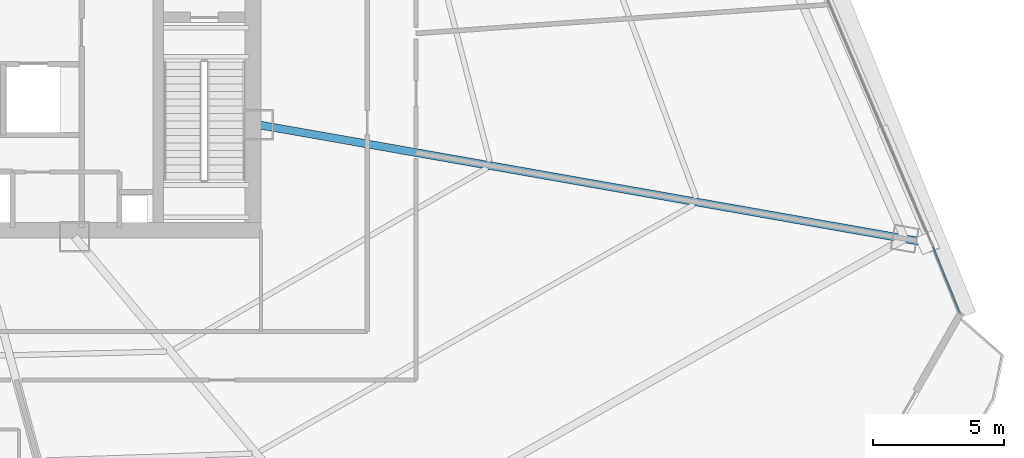
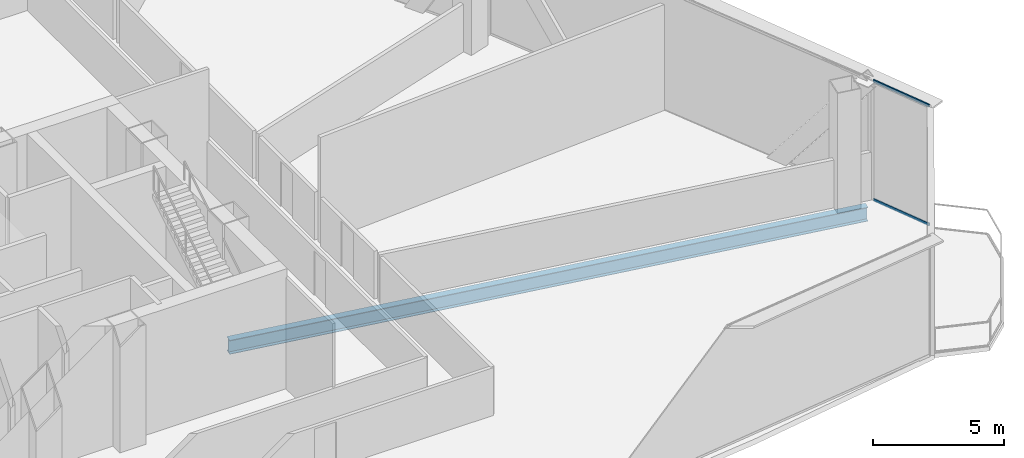
# One storey, part 25 of 40: 2 members, 1 beam, 1 element without a shape of its own.
"""IFC4 building model written with IfcOpenShell, lengths in metres."""

import ifcopenshell
import ifcopenshell.guid

model = None  # the IFC model being written
_history = None  # IfcOwnerHistory: only IFC2X3 demands one
_inside = {}  # id of a spatial element -> (the spatial element, [elements in it])
_under = {}  # id of a project, library or spatial element -> (it, [spatial elements below it])
_declared = {}  # id of a project -> (the project, [libraries it declares])
_typed = {}  # id of a type object -> (the type object, [elements of that type])
_made_of = {}  # id of a material, layer set ... -> (it, [elements and type objects made of it])


def new_model(schema):
    """Start an empty IFC model of exactly this schema.

    Asked for "IFC4X3", IfcOpenShell would pick the latest addendum, in which some entities
    have other attributes; the version numbers below select the first issue.
    IFC2X3 requires an IfcOwnerHistory on every rooted entity: one is made here for all.
    """
    global model, _history
    if schema == "IFC4X3":
        model = ifcopenshell.file(schema_version=(4, 3, 0, 0))
    else:
        model = ifcopenshell.file(schema=schema)
    _inside.clear()
    _under.clear()
    _declared.clear()
    _typed.clear()
    _made_of.clear()
    _history = None
    if model.schema == "IFC2X3":
        org = make("IfcOrganization", Name="unknown")
        user = make(
            "IfcPersonAndOrganization",
            ThePerson=make("IfcPerson", FamilyName="unknown"),
            TheOrganization=org,
        )
        app = make(
            "IfcApplication",
            ApplicationDeveloper=org,
            Version="unknown",
            ApplicationFullName="unknown",
            ApplicationIdentifier="unknown",
        )
        _history = make(
            "IfcOwnerHistory",
            OwningUser=user,
            OwningApplication=app,
            ChangeAction="ADDED",
            CreationDate=0,
        )
    return model


def make(cls, **values):
    """One entity of the class cls with the attributes given. An attribute that is None is left unset."""
    return model.create_entity(
        cls, **{name: value for name, value in values.items() if value is not None}
    )


def rooted(cls, **values):
    """An entity with a GlobalId (a new one), such as an element, a storey or a relation."""
    return make(cls, GlobalId=ifcopenshell.guid.new(), OwnerHistory=_history, **values)


def si_unit(unit_type, name, prefix=None):
    """IfcSIUnit, for example si_unit("LENGTHUNIT", "METRE", prefix="MILLI")."""
    return make("IfcSIUnit", UnitType=unit_type, Prefix=prefix, Name=name)


def assignment(units):
    """IfcUnitAssignment: the units of a project."""
    return None if units is None else make("IfcUnitAssignment", Units=units)


def point(xyz):
    """IfcCartesianPoint."""
    return None if xyz is None else make("IfcCartesianPoint", Coordinates=xyz)


def direction(xyz):
    """IfcDirection."""
    return None if xyz is None else make("IfcDirection", DirectionRatios=xyz)


def frame(location, z_axis=None, x_axis=None):
    """IfcAxis2Placement3D, a coordinate frame: its origin and axes. An axis left out is left unset."""
    return make(
        "IfcAxis2Placement3D",
        Location=point(location),
        Axis=direction(z_axis),
        RefDirection=direction(x_axis),
    )


def frame_2d(location, x_axis=None):
    """IfcAxis2Placement2D, a coordinate frame in the plane: its origin and x axis."""
    return make(
        "IfcAxis2Placement2D", Location=point(location), RefDirection=direction(x_axis)
    )


def origin():
    """The frame at (0, 0, 0) with its axes left unset."""
    return frame((0.0, 0.0, 0.0))


def origin_2d():
    """The frame at (0, 0) in the plane with its x axis left unset."""
    return frame_2d((0.0, 0.0))


def place(relative_to, where):
    """IfcLocalPlacement: puts the frame where relative to a parent placement (None: the world)."""
    return make(
        "IfcLocalPlacement", PlacementRelTo=relative_to, RelativePlacement=where
    )


def context(
    kind, dimensions, precision=None, world=None, true_north=None, identifier=None
):
    """IfcGeometricRepresentationContext, for example the 3D "Model" context."""
    return make(
        "IfcGeometricRepresentationContext",
        ContextIdentifier=identifier,
        ContextType=kind,
        CoordinateSpaceDimension=dimensions,
        Precision=precision,
        WorldCoordinateSystem=world,
        TrueNorth=true_north,
    )


def subcontext(parent, identifier, kind, view, scale=None):
    """IfcGeometricRepresentationSubContext, for example "Body" below "Model"."""
    return make(
        "IfcGeometricRepresentationSubContext",
        ContextIdentifier=identifier,
        ContextType=kind,
        ParentContext=parent,
        TargetScale=scale,
        TargetView=view,
    )


def project(units=None, contexts=None):
    """IfcProject with its units and contexts."""
    return rooted(
        "IfcProject",
        Name="project",
        RepresentationContexts=contexts,
        UnitsInContext=assignment(units),
    )


def spatial(cls, under=None, at=None, **own):
    """A site, building, storey or space (cls), placed at a placement, below another one or the project."""
    s = rooted(cls, ObjectPlacement=at, **own)
    if under is not None:
        _under.setdefault(under.id(), (under, []))[1].append(s)
    return s


def profile(cls, at=None, kind="AREA", **sizes):
    """A parametric profile (cls). Its sizes go by their IFC names, for example OverallWidth=200.0."""
    return make(cls, ProfileType=kind, Position=at, **sizes)


def hollow_rectangle(**sizes):
    """IfcRectangleHollowProfileDef."""
    return profile("IfcRectangleHollowProfileDef", **sizes)


def i_section(**sizes):
    """IfcIShapeProfileDef."""
    return profile("IfcIShapeProfileDef", **sizes)


def extrude(swept, where, along, depth):
    """IfcExtrudedAreaSolid: the profile swept, set in the frame where, extruded along a direction by depth."""
    return make(
        "IfcExtrudedAreaSolid",
        SweptArea=swept,
        Position=where,
        ExtrudedDirection=direction(along),
        Depth=depth,
    )


def shape(context_of_items, identifier, shape_type, items):
    """IfcShapeRepresentation: the items that make up one representation, for example the "Body"."""
    return make(
        "IfcShapeRepresentation",
        ContextOfItems=context_of_items,
        RepresentationIdentifier=identifier,
        RepresentationType=shape_type,
        Items=items,
    )


def source(mapping_origin, context_of_items, identifier, shape_type, items):
    """IfcRepresentationMap: a shape defined once, which mapped items show again and again."""
    return make(
        "IfcRepresentationMap",
        MappingOrigin=mapping_origin,
        MappedRepresentation=shape(context_of_items, identifier, shape_type, items),
    )


def transform(
    local_origin,
    x_axis=None,
    y_axis=None,
    z_axis=None,
    scale=None,
    scale2=None,
    scale3=None,
    uniform=True,
):
    """IfcCartesianTransformationOperator3D, or its non-uniform kind. x_axis, y_axis, z_axis: its Axis1, 2, 3."""
    if uniform:
        return make(
            "IfcCartesianTransformationOperator3D",
            Axis1=direction(x_axis),
            Axis2=direction(y_axis),
            LocalOrigin=point(local_origin),
            Scale=scale,
            Axis3=direction(z_axis),
        )
    return make(
        "IfcCartesianTransformationOperator3DnonUniform",
        Axis1=direction(x_axis),
        Axis2=direction(y_axis),
        LocalOrigin=point(local_origin),
        Scale=scale,
        Axis3=direction(z_axis),
        Scale2=scale2,
        Scale3=scale3,
    )


def mapped(mapping_source, mapping_target):
    """IfcMappedItem: shows the shape of a source again, moved by a transform."""
    return make(
        "IfcMappedItem", MappingSource=mapping_source, MappingTarget=mapping_target
    )


def material(Name=None, Category=None):
    """IfcMaterial."""
    return make("IfcMaterial", Name=Name, Category=Category)


def layer(
    of_material, thickness, ventilated=None, Name=None, Category=None, Priority=None
):
    """IfcMaterialLayer: one layer of a wall or slab, of a material (None: an air gap)."""
    return make(
        "IfcMaterialLayer",
        Material=of_material,
        LayerThickness=thickness,
        IsVentilated=ventilated,
        Name=Name,
        Category=Category,
        Priority=Priority,
    )


def layer_set(layers, Name=None):
    """IfcMaterialLayerSet."""
    return make("IfcMaterialLayerSet", MaterialLayers=layers, LayerSetName=Name)


def material_profile(
    of_material, cross_section, Name=None, Category=None, Priority=None
):
    """IfcMaterialProfile: a cross section and its material."""
    return make(
        "IfcMaterialProfile",
        Name=Name,
        Material=of_material,
        Profile=cross_section,
        Priority=Priority,
        Category=Category,
    )


def profile_set(profiles, Name=None, composite=None):
    """IfcMaterialProfileSet."""
    return make(
        "IfcMaterialProfileSet",
        Name=Name,
        MaterialProfiles=profiles,
        CompositeProfile=composite,
    )


def made_of(thing, what):
    """Note that an element or type object is made of a material, layer set ...; save() writes the relation."""
    if what is not None:
        _made_of.setdefault(what.id(), (what, []))[1].append(thing)
    return thing


def type_object(cls, material=None, **own):
    """A type object (cls), such as IfcWallType, which elements share."""
    return made_of(rooted(cls, **own), material)


def element(
    cls,
    number,
    at=None,
    inside=None,
    cuts=None,
    type_object=None,
    material=None,
    context=None,
    identifier="Body",
    shape_type=None,
    held_by="IfcProductDefinitionShape",
    body=None,
    shapes=None,
    **own,
):
    """One element of the class cls, such as IfcWall. Its Tag is "e" and its number.

    at: its placement. inside: the storey or other place that contains it. cuts: it is an
    opening in that element (IfcRelVoidsElement). A single representation is given by context,
    identifier, shape_type and body (its items); several are given by shapes. held_by: the class
    of the entity that holds the representations. save() writes the other relations.
    """
    e = rooted(cls, Tag="e%d" % number, ObjectPlacement=at, **own)
    if body is not None:
        shapes = [shape(context, identifier, shape_type, body)]
    if shapes is not None:
        e.Representation = make(held_by, Representations=shapes)
    if inside is not None:
        _inside.setdefault(inside.id(), (inside, []))[1].append(e)
    if cuts is not None:
        rooted(
            "IfcRelVoidsElement", RelatingBuildingElement=cuts, RelatedOpeningElement=e
        )
    if type_object is not None:
        _typed.setdefault(type_object.id(), (type_object, []))[1].append(e)
    return made_of(e, material)


def aggregate(whole, parts):
    """IfcRelAggregates: a whole, such as a stair, and the parts it consists of."""
    return rooted("IfcRelAggregates", RelatingObject=whole, RelatedObjects=parts)


def save(model, path):
    """Write the relations noted so far, then the file.

    IfcRelAggregates (storeys below a building ...), IfcRelContainedInSpatialStructure (elements
    in a storey), IfcRelDefinesByType, IfcRelAssociatesMaterial and IfcRelDeclares: one each for
    every whole, place, type object, material and project.
    """
    for whole, parts in _under.values():
        aggregate(whole, parts)
    for where, things in _inside.values():
        rooted(
            "IfcRelContainedInSpatialStructure",
            RelatedElements=things,
            RelatingStructure=where,
        )
    for kind, things in _typed.values():
        rooted("IfcRelDefinesByType", RelatedObjects=things, RelatingType=kind)
    for what, things in _made_of.values():
        rooted("IfcRelAssociatesMaterial", RelatedObjects=things, RelatingMaterial=what)
    for by, libraries in _declared.values():
        rooted("IfcRelDeclares", RelatingContext=by, RelatedDefinitions=libraries)
    model.write(path)


model = new_model("IFC4")

# Units and contexts
model_context = context("Model", 3, precision=1e-05, world=origin(), true_north=direction((0.0, 1.0)))
body_context = subcontext(model_context, "Body", "Model", "MODEL_VIEW")
ifc_project = project(units=[si_unit("LENGTHUNIT", "METRE"), si_unit("AREAUNIT", "SQUARE_METRE"), si_unit("VOLUMEUNIT", "CUBIC_METRE"), si_unit("PLANEANGLEUNIT", "RADIAN"), si_unit("MASSUNIT", "GRAM", prefix="KILO"), si_unit("THERMODYNAMICTEMPERATUREUNIT", "KELVIN"), si_unit("POWERUNIT", "WATT")], contexts=[model_context])

# Site, building, storey
site_placement = place(None, origin())
site = spatial("IfcSite", under=ifc_project, at=site_placement, CompositionType="ELEMENT")
building_placement = place(site_placement, origin())
building = spatial("IfcBuilding", under=site, at=building_placement, Name="Yunzhuo Pagoda Commons", CompositionType="ELEMENT")
storey_placement = place(building_placement, frame((0.0, 0.0, 170.31005859375)))
storey = spatial("IfcBuildingStorey", under=building, at=storey_placement, Name="L43", CompositionType="ELEMENT", Elevation=170.31005859375)

# Beam
ifc_material_1 = material(Name="Structural steel Q355B", Category="steel")
ifc_material_profile_1 = material_profile(ifc_material_1, i_section(OverallWidth=0.300048828125, OverallDepth=0.64990234375, WebThickness=0.012939453125, FlangeThickness=0.02197265625, at=origin_2d()), Name="Structural steel Q355B")
ifc_profile_set_1 = profile_set([ifc_material_profile_1], Name="Structural steel Q355B")
beam_type = type_object("IfcBeamType", Name="B-RG2 Beam HN 650x300x13x22", PredefinedType="BEAM", material=ifc_profile_set_1)
shared_shape_1 = source(origin(), body_context, "Body", "SweptSolid", [
    extrude(i_section(OverallWidth=0.300048828125, OverallDepth=0.64990234375, WebThickness=0.012939453125, FlangeThickness=0.02197265625, at=origin_2d()), origin(), (0.0, 0.0, 1.0), 25.87158203125),
])
beam_placement = place(storey_placement, frame((85.87841796875, 27.02099609375, -0.5849609375), z_axis=(-0.98480853359, 0.173643750734, 0.0), x_axis=(-0.173643750734, -0.98480853359, 0.0)))
element("IfcBeam", 1, at=beam_placement, inside=storey, type_object=beam_type, Name="L43 radial floor girder F2C1", PredefinedType="BEAM", context=body_context, shape_type="MappedRepresentation", body=[
    mapped(shared_shape_1, transform((0.0, 0.0, 0.0), scale=1.0)),
])

# Curtain wall, members
ifc_material_2 = material(Name="Anodized aluminium 6063-T6", Category="aluminium")
ifc_layer = layer(ifc_material_2, 0.14990234375)
ifc_layer_set = layer_set([ifc_layer], Name="Anodized aluminium 6063-T6")
curtain_wall_type = type_object("IfcCurtainWallType", Name="CW-MID Mid-Zone Ribbon Curtain Wall", PredefinedType="NOTDEFINED", material=ifc_layer_set)
curtain_wall_placement = place(storey_placement, origin())
curtain_wall = element("IfcCurtainWall", 2, at=curtain_wall_placement, inside=storey, type_object=curtain_wall_type, Name="L43 curtain wall CW-L43-F2B1", PredefinedType="NOTDEFINED")
ifc_material_profile_2 = material_profile(ifc_material_2, hollow_rectangle(XDim=0.054931640625, YDim=0.1298828125, WallThickness=0.00341796875, at=origin_2d()), Name="Anodized aluminium 6063-T6")
ifc_profile_set_2 = profile_set([ifc_material_profile_2], Name="Anodized aluminium 6063-T6")
member_type = type_object("IfcMemberType", Name="CW-MID-T Transom RHS 130x55x3.5", PredefinedType="USERDEFINED", material=ifc_profile_set_2)
shared_shape_2 = source(origin(), body_context, "Body", "SweptSolid", [
    extrude(hollow_rectangle(XDim=0.054931640625, YDim=0.1298828125, WallThickness=0.00341796875, at=origin_2d()), origin(), (0.0, 0.0, 1.0), 2.6962890625),
])
member_1_placement = place(storey_placement, frame((87.093994140625, 24.369873046875, 0.02734375), z_axis=(-0.375305747768, 0.926901071146, 0.0), x_axis=(-0.926901071146, -0.375305747768, 0.0)))
member_1 = element("IfcMember", 3, at=member_1_placement, type_object=member_type, Name="CW transom 1.1", ObjectType="TRANSOM", PredefinedType="USERDEFINED", context=body_context, shape_type="MappedRepresentation", body=[
    mapped(shared_shape_2, transform((0.0, 0.0, 0.0), scale=1.0)),
])
member_2_placement = place(storey_placement, frame((87.093994140625, 24.369873046875, 5.54248046875), z_axis=(-0.375305747768, 0.926901071146, 0.0), x_axis=(-0.926901071146, -0.375305747768, 0.0)))
member_2 = element("IfcMember", 4, at=member_2_placement, type_object=member_type, Name="CW transom 1.2", ObjectType="TRANSOM", PredefinedType="USERDEFINED", context=body_context, shape_type="MappedRepresentation", body=[
    mapped(shared_shape_2, transform((0.0, 0.0, 0.0), scale=1.0)),
])
aggregate(curtain_wall, [member_1, member_2])

save(model, "model.ifc")
